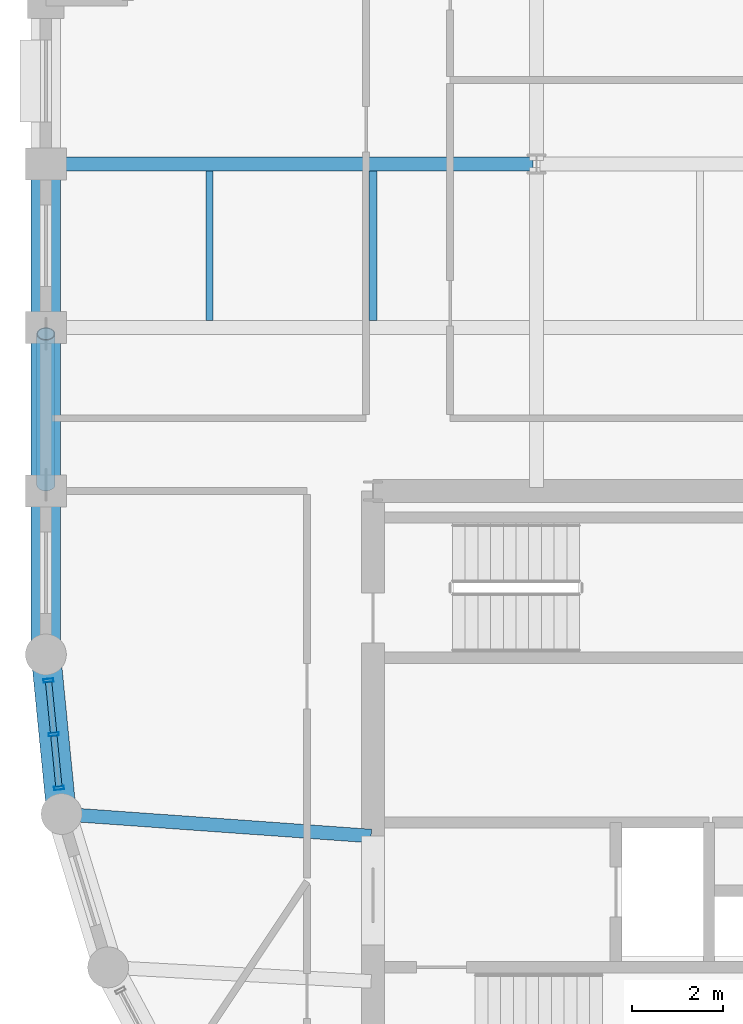
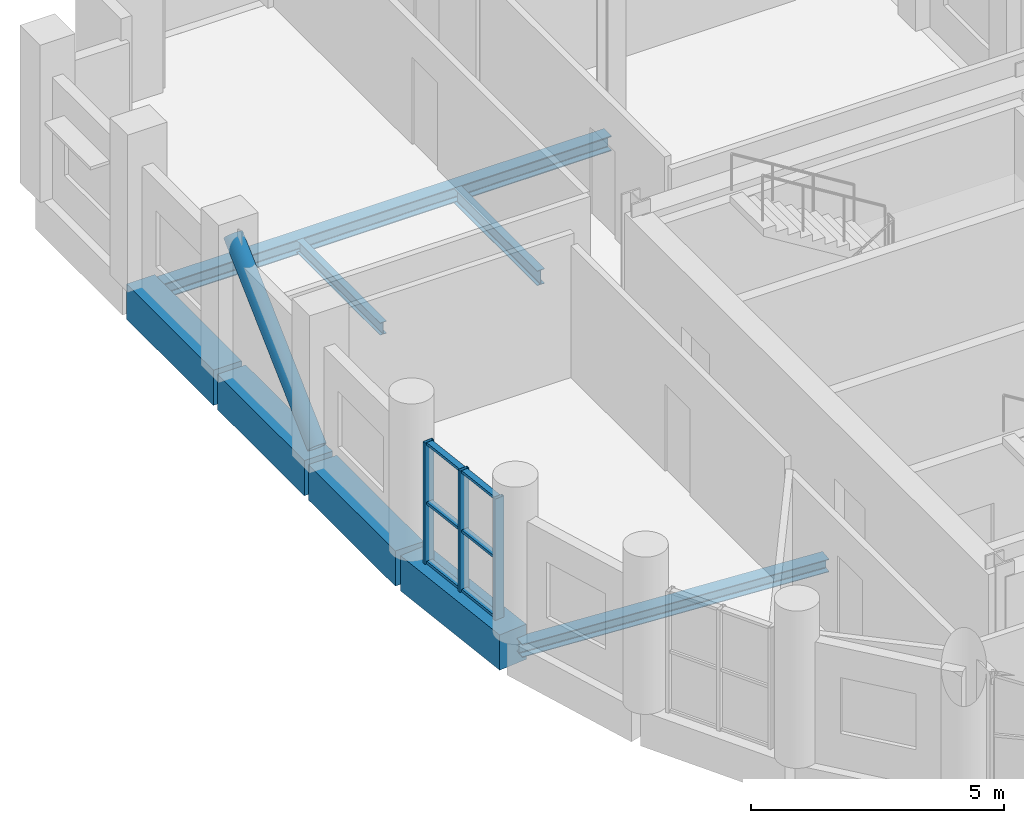
# One storey, part 4 of 11: 10 members, 8 beams, 1 element without a shape of its own.
"""IFC4 building model written with IfcOpenShell, lengths in metres."""

from ifc_helpers import new_model, si_unit, direction, frame, origin, origin_2d, place, context, subcontext, project, spatial, rectangle, hollow_rectangle, hollow_circle, i_section, extrude, material, layer, layer_set, material_profile, profile_set, type_object, element, aggregate, save


model = new_model("IFC4")

# Units and contexts
model_context = context("Model", 3, precision=1e-05, world=origin(), true_north=direction((0.0, 1.0)))
body_context = subcontext(model_context, "Body", "Model", "MODEL_VIEW")
ifc_project = project(units=[si_unit("LENGTHUNIT", "METRE"), si_unit("AREAUNIT", "SQUARE_METRE"), si_unit("VOLUMEUNIT", "CUBIC_METRE"), si_unit("PLANEANGLEUNIT", "RADIAN"), si_unit("MASSUNIT", "GRAM", prefix="KILO")], contexts=[model_context])

# Site, building, storey
site_placement = place(None, origin())
site = spatial("IfcSite", under=ifc_project, at=site_placement, CompositionType="ELEMENT")
building_placement = place(site_placement, origin())
building = spatial("IfcBuilding", under=site, at=building_placement, Name="Solnavia Interchange Tower", CompositionType="ELEMENT")
storey_placement = place(building_placement, frame((0.0, 0.0, 205.199951171875)))
storey = spatial("IfcBuildingStorey", under=building, at=storey_placement, Name="L51", CompositionType="ELEMENT", Elevation=205.199951171875)

# Beams
ifc_material_1 = material(Name="Steel S460", Category="steel")
ifc_material_profile_1 = material_profile(ifc_material_1, i_section(OverallWidth=0.300048828125, OverallDepth=0.360107421875, WebThickness=0.012451171875, FlangeThickness=0.0224609375, FilletRadius=0.027099609375, at=origin_2d()), Name="HEB 360")
ifc_profile_set_1 = profile_set([ifc_material_profile_1], Name="Steel S460")
beam_type_1 = type_object("IfcBeamType", Name="Beam-Girder-HEB360", PredefinedType="BEAM", material=ifc_profile_set_1)
beam_1_placement = place(storey_placement, frame((7.280029296875, 32.39990234375, -0.429931640625), z_axis=(1.0, 0.0, 0.0), x_axis=(0.0, 1.0, 0.0)))
element("IfcBeam", 1, at=beam_1_placement, inside=storey, type_object=beam_type_1, Name="GRD-L51-NW10 North wing primary floor girder", PredefinedType="BEAM", context=body_context, shape_type="SweptSolid", body=[
    extrude(i_section(OverallWidth=0.300048828125, OverallDepth=0.360107421875, WebThickness=0.012451171875, FlangeThickness=0.0224609375, FilletRadius=0.027099609375, at=origin_2d()), origin(), (0.0, 0.0, 1.0), 10.639892578125),
])
ifc_material_2 = material(Name="Steel S355", Category="steel")
ifc_material_profile_2 = material_profile(ifc_material_2, i_section(OverallWidth=0.14990234375, OverallDepth=0.300048828125, WebThickness=0.007080078125, FlangeThickness=0.0107421875, FilletRadius=0.014892578125, at=origin_2d()), Name="IPE 300")
ifc_profile_set_2 = profile_set([ifc_material_profile_2], Name="Steel S355")
beam_type_2 = type_object("IfcBeamType", Name="Beam-Joist-IPE300", PredefinedType="JOIST", material=ifc_profile_set_2)
beam_2_placement = place(storey_placement, frame((10.800048828125, 28.949951171875, -0.39990234375), z_axis=(0.0, 1.0, 0.0), x_axis=(-1.0, 0.0, 0.0)))
element("IfcBeam", 2, at=beam_2_placement, inside=storey, type_object=beam_type_2, Name="JST-L51-N09 North wing secondary joist", PredefinedType="JOIST", context=body_context, shape_type="SweptSolid", body=[
    extrude(i_section(OverallWidth=0.14990234375, OverallDepth=0.300048828125, WebThickness=0.007080078125, FlangeThickness=0.0107421875, FilletRadius=0.014892578125, at=origin_2d()), origin(), (0.0, 0.0, 1.0), 3.300048828125),
])
ifc_material_profile_3 = material_profile(ifc_material_2, i_section(OverallWidth=0.169921875, OverallDepth=0.360107421875, WebThickness=0.008056640625, FlangeThickness=0.0126953125, FilletRadius=0.01806640625, at=origin_2d()), Name="IPE 360")
ifc_profile_set_3 = profile_set([ifc_material_profile_3], Name="Steel S355")
beam_type_3 = type_object("IfcBeamType", Name="Beam-Joist-IPE360", PredefinedType="JOIST", material=ifc_profile_set_3)
beam_3_placement = place(storey_placement, frame((14.39990234375, 28.949951171875, -0.429931640625), z_axis=(0.0, 1.0, 0.0), x_axis=(-1.0, 0.0, 0.0)))
element("IfcBeam", 3, at=beam_3_placement, inside=storey, type_object=beam_type_3, Name="JST-L51-N10 North wing secondary joist", PredefinedType="JOIST", context=body_context, shape_type="SweptSolid", body=[
    extrude(i_section(OverallWidth=0.169921875, OverallDepth=0.360107421875, WebThickness=0.008056640625, FlangeThickness=0.0126953125, FilletRadius=0.01806640625, at=origin_2d()), origin(), (0.0, 0.0, 1.0), 3.300048828125),
])
ifc_material_profile_4 = material_profile(ifc_material_2, i_section(OverallWidth=0.300048828125, OverallDepth=0.31005859375, WebThickness=0.009033203125, FlangeThickness=0.015380859375, FilletRadius=0.027099609375, at=origin_2d()), Name="HEA 320")
ifc_profile_set_4 = profile_set([ifc_material_profile_4], Name="Steel S355")
beam_type_4 = type_object("IfcBeamType", Name="Beam-Primary-HEA320", PredefinedType="BEAM", material=ifc_profile_set_4)
beam_4_placement = place(storey_placement, frame((7.625732421875, 18.082275390625, -0.405029296875), z_axis=(0.99747482749, -0.071020902015, 0.0), x_axis=(0.071020902015, 0.99747482749, 0.0)))
element("IfcBeam", 4, at=beam_4_placement, inside=storey, type_object=beam_type_4, Name="GRD-L51-DR12 Drum radial floor girder", PredefinedType="BEAM", context=body_context, shape_type="SweptSolid", body=[
    extrude(i_section(OverallWidth=0.300048828125, OverallDepth=0.31005859375, WebThickness=0.009033203125, FlangeThickness=0.015380859375, FilletRadius=0.027099609375, at=origin_2d()), origin(), (0.0, 0.0, 1.0), 6.75146484375),
])
ifc_material_3 = material(Name="Concrete C50/60", Category="concrete")
ifc_material_profile_5 = material_profile(ifc_material_3, rectangle(XDim=0.64990234375, YDim=0.85009765625, at=origin_2d()), Name="RC 650x850")
ifc_profile_set_5 = profile_set([ifc_material_profile_5], Name="Concrete C50/60")
beam_type_5 = type_object("IfcBeamType", Name="Beam-Spandrel-RC650x850", PredefinedType="SPANDREL", material=ifc_profile_set_5)
beam_5_placement = place(storey_placement, frame((7.207763671875, 21.5205078125, -0.425048828125), z_axis=(0.098040038117, -0.995182471171, 0.0), x_axis=(0.995182471171, 0.098040038117, 0.0)))
element("IfcBeam", 5, at=beam_5_placement, inside=storey, type_object=beam_type_5, Name="SPB-L51-01 Framed-tube perimeter spandrel beam", PredefinedType="SPANDREL", context=body_context, shape_type="SweptSolid", body=[
    extrude(rectangle(XDim=0.64990234375, YDim=0.85009765625, at=origin_2d()), origin(), (0.0, 0.0, 1.0), 3.369140625),
])
beam_6_placement = place(storey_placement, frame((7.199951171875, 32.320068359375, -0.425048828125), z_axis=(0.0, -1.0, 0.0), x_axis=(1.0, 0.0, 0.0)))
element("IfcBeam", 6, at=beam_6_placement, inside=storey, type_object=beam_type_5, Name="SPB-L51-31 Framed-tube perimeter spandrel beam", PredefinedType="SPANDREL", context=body_context, shape_type="SweptSolid", body=[
    extrude(rectangle(XDim=0.64990234375, YDim=0.85009765625, at=origin_2d()), origin(), (0.0, 0.0, 1.0), 3.440185546875),
])
beam_7_placement = place(storey_placement, frame((7.199951171875, 28.719970703125, -0.425048828125), z_axis=(0.0, -1.0, 0.0), x_axis=(1.0, 0.0, 0.0)))
element("IfcBeam", 7, at=beam_7_placement, inside=storey, type_object=beam_type_5, Name="SPB-L51-32 Framed-tube perimeter spandrel beam", PredefinedType="SPANDREL", context=body_context, shape_type="SweptSolid", body=[
    extrude(rectangle(XDim=0.64990234375, YDim=0.85009765625, at=origin_2d()), origin(), (0.0, 0.0, 1.0), 3.43994140625),
])
beam_8_placement = place(storey_placement, frame((7.199951171875, 25.1201171875, -0.425048828125), z_axis=(0.0, -1.0, 0.0), x_axis=(1.0, 0.0, 0.0)))
element("IfcBeam", 8, at=beam_8_placement, inside=storey, type_object=beam_type_5, Name="SPB-L51-33 Framed-tube perimeter spandrel beam", PredefinedType="SPANDREL", context=body_context, shape_type="SweptSolid", body=[
    extrude(rectangle(XDim=0.64990234375, YDim=0.85009765625, at=origin_2d()), origin(), (0.0, 0.0, 1.0), 3.440185546875),
])

# Member
ifc_material_profile_6 = material_profile(ifc_material_1, hollow_circle(Radius=0.203125, WallThickness=0.02001953125, at=origin_2d()), Name="CHS 406.4x20")
ifc_profile_set_6 = profile_set([ifc_material_profile_6], Name="Steel S460")
member_type_1 = type_object("IfcMemberType", Name="Brace-Perim-CHS406", PredefinedType="BRACE", material=ifc_profile_set_6)
member_1_placement = place(storey_placement, frame((7.199951171875, 25.340087890625, 0.179931640625), z_axis=(0.0, 0.728684360712, 0.68484969333), x_axis=(-1.0, 0.0, 0.0)))
element("IfcMember", 9, at=member_1_placement, inside=storey, type_object=member_type_1, Name="BRC-L51-01 Perimeter tube diagonal brace", PredefinedType="BRACE", context=body_context, shape_type="SweptSolid", body=[
    extrude(hollow_circle(Radius=0.203125, WallThickness=0.02001953125, at=origin_2d()), origin(), (0.0, 0.0, 1.0), 4.555908203125),
])

# Curtain wall, members
ifc_material_4 = material(Name="Aluminium Alloy 6063-T6", Category="aluminium")
ifc_layer = layer(ifc_material_4, 0.239990234375)
ifc_layer_set = layer_set([ifc_layer], Name="Aluminium Alloy 6063-T6")
curtain_wall_type = type_object("IfcCurtainWallType", Name="CurtainWall-Drum-CTW2", PredefinedType="NOTDEFINED", material=ifc_layer_set)
curtain_wall_placement = place(storey_placement, origin())
curtain_wall = element("IfcCurtainWall", 10, at=curtain_wall_placement, inside=storey, type_object=curtain_wall_type, Name="CTW-L51-D45 CTW-2 curtain wall", PredefinedType="NOTDEFINED")
ifc_material_profile_7 = material_profile(ifc_material_4, hollow_rectangle(XDim=0.074951171875, YDim=0.219970703125, WallThickness=0.0048828125, at=origin_2d()), Name="ALU 220x75x5")
ifc_profile_set_7 = profile_set([ifc_material_profile_7], Name="Aluminium Alloy 6063-T6")
member_type_2 = type_object("IfcMemberType", Name="CW-Mullion-CWM-2", PredefinedType="MULLION", material=ifc_profile_set_7)
member_2_placement = place(storey_placement, frame((7.25634765625, 21.02783203125, 0.0), z_axis=(0.0, 0.0, 1.0), x_axis=(0.098043088306, -0.995182170678, 0.0)))
member_2 = element("IfcMember", 11, at=member_2_placement, type_object=member_type_2, Name="CTW-2 mullion 1", PredefinedType="MULLION", context=body_context, shape_type="SweptSolid", body=[
    extrude(hollow_rectangle(XDim=0.074951171875, YDim=0.219970703125, WallThickness=0.0048828125, at=origin_2d()), origin(), (0.0, 0.0, 1.0), 2.929931640625),
])
member_3_placement = place(storey_placement, frame((7.373046875, 19.843994140625, 0.0), z_axis=(0.0, 0.0, 1.0), x_axis=(0.098043088306, -0.995182170678, 0.0)))
member_3 = element("IfcMember", 12, at=member_3_placement, type_object=member_type_2, Name="CTW-2 mullion 2", PredefinedType="MULLION", context=body_context, shape_type="SweptSolid", body=[
    extrude(hollow_rectangle(XDim=0.074951171875, YDim=0.219970703125, WallThickness=0.0048828125, at=origin_2d()), origin(), (0.0, 0.0, 1.0), 2.929931640625),
])
member_4_placement = place(storey_placement, frame((7.489501953125, 18.66015625, 0.0), z_axis=(0.0, 0.0, 1.0), x_axis=(0.098043088306, -0.995182170678, 0.0)))
member_4 = element("IfcMember", 13, at=member_4_placement, type_object=member_type_2, Name="CTW-2 mullion 3", PredefinedType="MULLION", context=body_context, shape_type="SweptSolid", body=[
    extrude(hollow_rectangle(XDim=0.074951171875, YDim=0.219970703125, WallThickness=0.0048828125, at=origin_2d()), origin(), (0.0, 0.0, 1.0), 2.929931640625),
])
ifc_material_profile_8 = material_profile(ifc_material_4, hollow_rectangle(XDim=0.06494140625, YDim=0.139892578125, WallThickness=0.00390625, at=origin_2d()), Name="ALU 140x65x4")
ifc_profile_set_8 = profile_set([ifc_material_profile_8], Name="Aluminium Alloy 6063-T6")
member_type_3 = type_object("IfcMemberType", Name="CW-Transom-CWT-2", PredefinedType="USERDEFINED", material=ifc_profile_set_8)
member_5_placement = place(storey_placement, frame((7.260009765625, 20.990478515625, 0.032470703125), z_axis=(0.098137234257, -0.995172891136, 0.0), x_axis=(0.0, 0.0, 1.0)))
member_5 = element("IfcMember", 14, at=member_5_placement, type_object=member_type_3, Name="CTW-2 transom 1.1", ObjectType="TRANSOM", PredefinedType="USERDEFINED", context=body_context, shape_type="SweptSolid", body=[
    extrude(hollow_rectangle(XDim=0.06494140625, YDim=0.139892578125, WallThickness=0.00390625, at=origin_2d()), origin(), (0.0, 0.0, 1.0), 1.114501953125),
])
member_6_placement = place(storey_placement, frame((7.260009765625, 20.990478515625, 1.465087890625), z_axis=(0.098137234257, -0.995172891136, 0.0), x_axis=(0.0, 0.0, 1.0)))
member_6 = element("IfcMember", 15, at=member_6_placement, type_object=member_type_3, Name="CTW-2 transom 1.2", ObjectType="TRANSOM", PredefinedType="USERDEFINED", context=body_context, shape_type="SweptSolid", body=[
    extrude(hollow_rectangle(XDim=0.06494140625, YDim=0.139892578125, WallThickness=0.00390625, at=origin_2d()), origin(), (0.0, 0.0, 1.0), 1.114501953125),
])
member_7_placement = place(storey_placement, frame((7.260009765625, 20.990478515625, 2.8974609375), z_axis=(0.098137234257, -0.995172891136, 0.0), x_axis=(0.0, 0.0, 1.0)))
member_7 = element("IfcMember", 16, at=member_7_placement, type_object=member_type_3, Name="CTW-2 transom 1.3", ObjectType="TRANSOM", PredefinedType="USERDEFINED", context=body_context, shape_type="SweptSolid", body=[
    extrude(hollow_rectangle(XDim=0.06494140625, YDim=0.139892578125, WallThickness=0.00390625, at=origin_2d()), origin(), (0.0, 0.0, 1.0), 1.114501953125),
])
member_8_placement = place(storey_placement, frame((7.376708984375, 19.806640625, 0.032470703125), z_axis=(0.097920280653, -0.995194261758, 0.0), x_axis=(0.0, 0.0, 1.0)))
member_8 = element("IfcMember", 17, at=member_8_placement, type_object=member_type_3, Name="CTW-2 transom 2.1", ObjectType="TRANSOM", PredefinedType="USERDEFINED", context=body_context, shape_type="SweptSolid", body=[
    extrude(hollow_rectangle(XDim=0.06494140625, YDim=0.139892578125, WallThickness=0.00390625, at=origin_2d()), origin(), (0.0, 0.0, 1.0), 1.114501953125),
])
member_9_placement = place(storey_placement, frame((7.376708984375, 19.806640625, 1.465087890625), z_axis=(0.097920280653, -0.995194261758, 0.0), x_axis=(0.0, 0.0, 1.0)))
member_9 = element("IfcMember", 18, at=member_9_placement, type_object=member_type_3, Name="CTW-2 transom 2.2", ObjectType="TRANSOM", PredefinedType="USERDEFINED", context=body_context, shape_type="SweptSolid", body=[
    extrude(hollow_rectangle(XDim=0.06494140625, YDim=0.139892578125, WallThickness=0.00390625, at=origin_2d()), origin(), (0.0, 0.0, 1.0), 1.114501953125),
])
member_10_placement = place(storey_placement, frame((7.376708984375, 19.806640625, 2.8974609375), z_axis=(0.097920280653, -0.995194261758, 0.0), x_axis=(0.0, 0.0, 1.0)))
member_10 = element("IfcMember", 19, at=member_10_placement, type_object=member_type_3, Name="CTW-2 transom 2.3", ObjectType="TRANSOM", PredefinedType="USERDEFINED", context=body_context, shape_type="SweptSolid", body=[
    extrude(hollow_rectangle(XDim=0.06494140625, YDim=0.139892578125, WallThickness=0.00390625, at=origin_2d()), origin(), (0.0, 0.0, 1.0), 1.114501953125),
])
aggregate(curtain_wall, [member_2, member_3, member_4, member_5, member_6, member_7, member_8, member_9, member_10])

save(model, "model.ifc")
